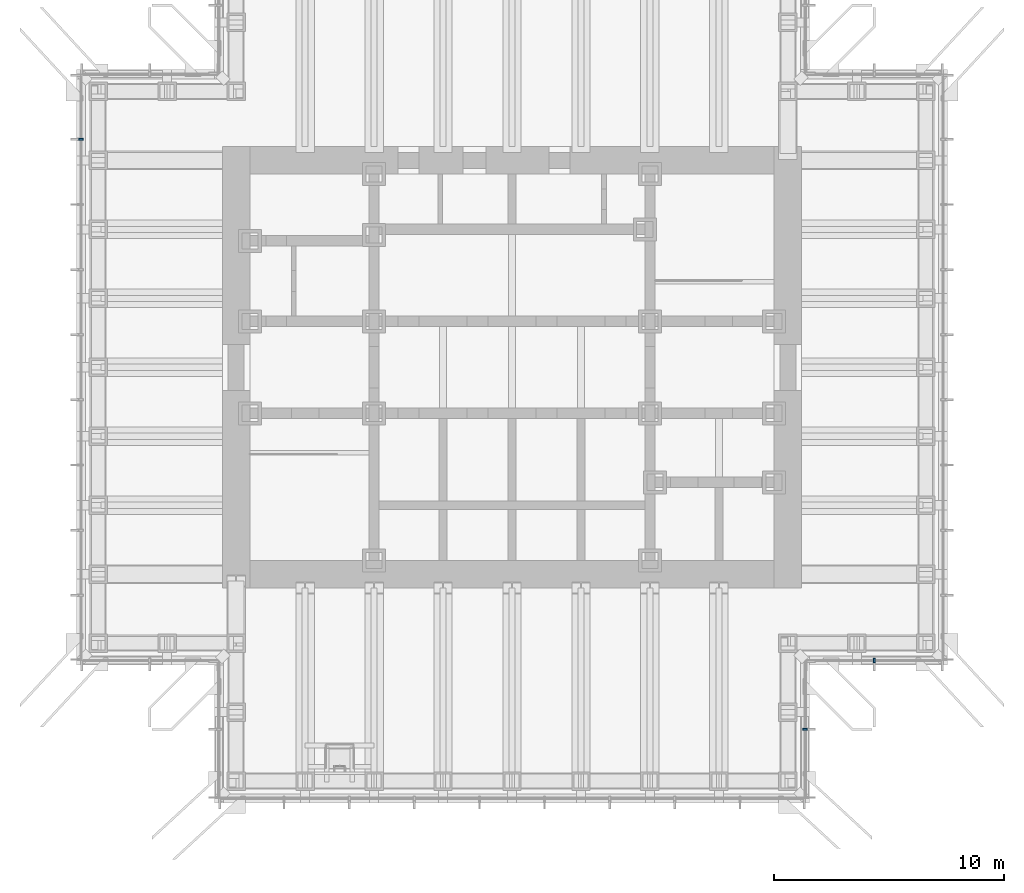
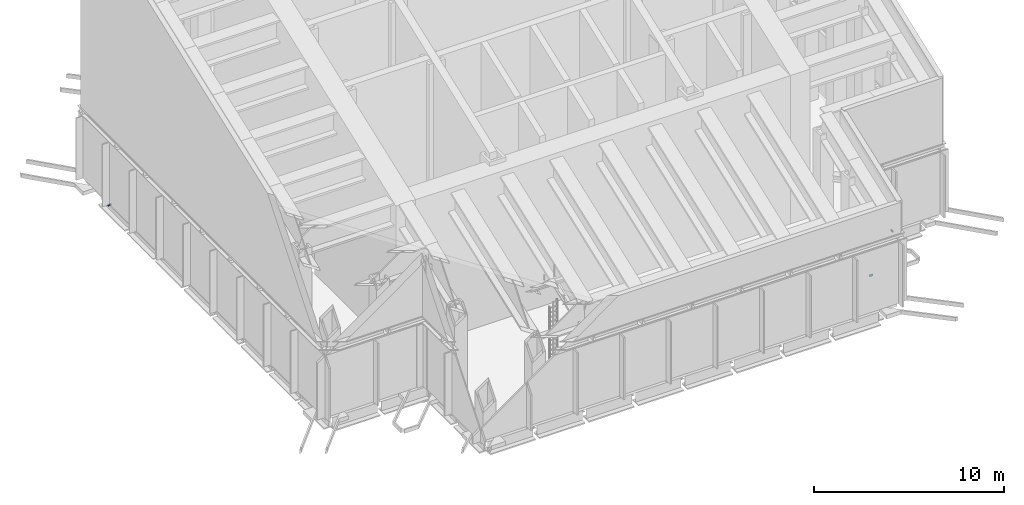
# One storey, part 13 of 15: 3 discrete accessories.
"""IFC4 building model written with IfcOpenShell, lengths in metres."""

from ifc_helpers import new_model, si_unit, direction, frame, origin, origin_2d, place, context, subcontext, project, spatial, rectangle, extrude, element, save


model = new_model("IFC4")

# Units and contexts
model_context = context("Model", 3, precision=1e-05, world=origin(), true_north=direction((0.0, 1.0)))
body_context = subcontext(model_context, "Body", "Model", "MODEL_VIEW")
ifc_project = project(units=[si_unit("LENGTHUNIT", "METRE"), si_unit("AREAUNIT", "SQUARE_METRE"), si_unit("VOLUMEUNIT", "CUBIC_METRE"), si_unit("PLANEANGLEUNIT", "RADIAN"), si_unit("MASSUNIT", "GRAM", prefix="KILO")], contexts=[model_context])

# Site, building, storey
site_placement = place(None, origin())
site = spatial("IfcSite", under=ifc_project, at=site_placement, CompositionType="ELEMENT")
building_placement = place(site_placement, origin())
building = spatial("IfcBuilding", under=site, at=building_placement, Name="Daluyong Arena Tower", CompositionType="ELEMENT")
storey_placement = place(building_placement, frame((0.0, 0.0, 285.699951171875)))
storey = spatial("IfcBuildingStorey", under=building, at=storey_placement, Name="L64", CompositionType="ELEMENT", Elevation=285.699951171875)

# Discrete accessories
for number, where, z_axis, x_axis, name in (
    (1, (68.75, 64.25, -0.10009765625), (0.0, 0.0, 1.0), (0.0, 1.0, 0.0), "crown louvre curtain wall L64 SE-E anchor bracket 2"),
    (2, (71.75, 67.25, -0.10009765625), (0.0, 0.0, 1.0), (1.0, 0.0, 0.0), "crown louvre curtain wall L64 SE-S anchor bracket 2"),
    (3, (37.25, 89.916748046875, -0.10009765625), (0.0, 0.0, 1.0), (0.0, -1.0, 0.0), "crown louvre curtain wall L64 W anchor bracket 2"),
):
    element("IfcDiscreteAccessory", number, at=place(storey_placement, frame(where, z_axis=z_axis, x_axis=x_axis)), inside=storey, Name=name, PredefinedType="BRACKET", context=body_context, shape_type="SweptSolid", body=[
        extrude(rectangle(XDim=0.080078125, YDim=0.199951171875, at=origin_2d()), origin(), (0.0, 0.0, 1.0), 0.10009765625),
    ])

save(model, "model.ifc")
